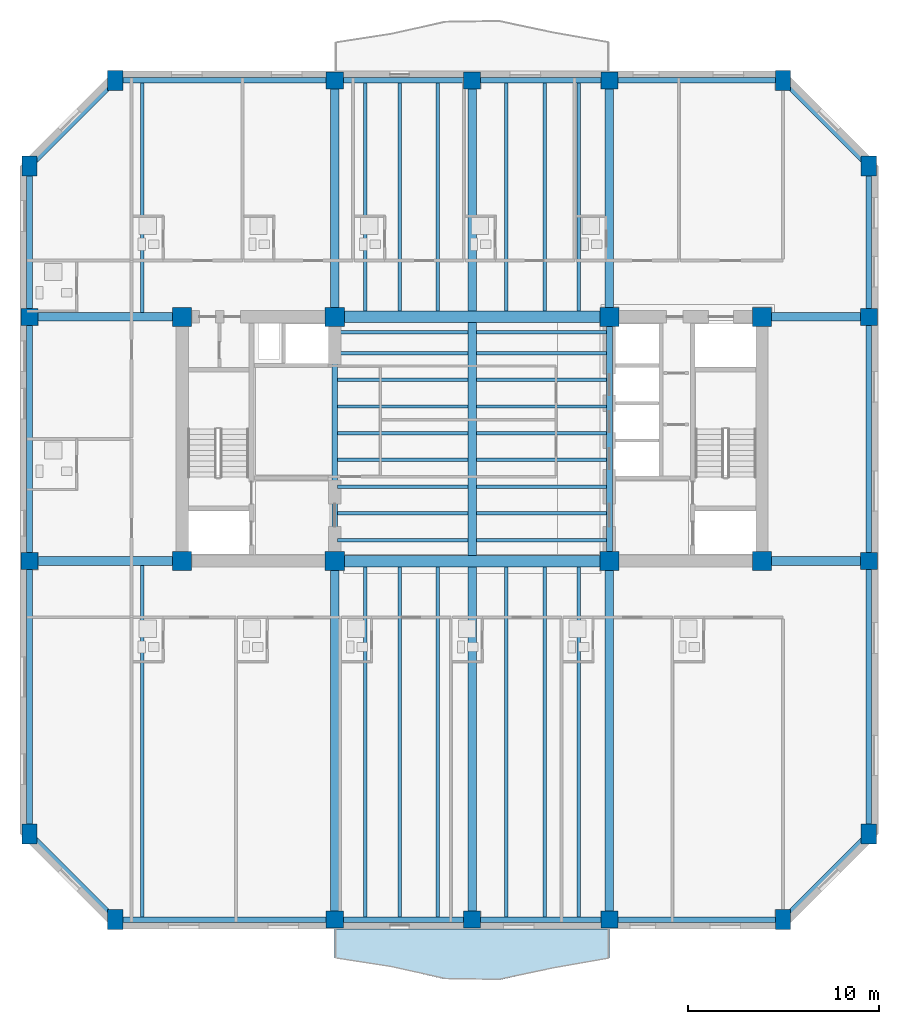
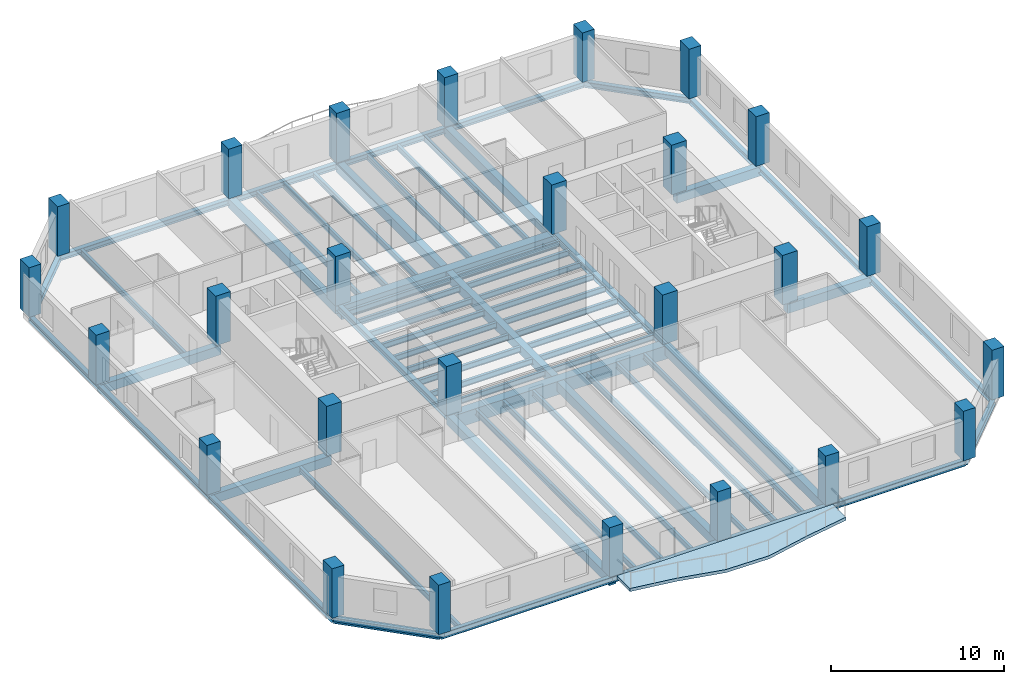
# One storey, part 1 of 11: 65 beams, 26 columns, 1 slab.
"""IFC4 building model written with IfcOpenShell, lengths in metres."""

from ifc_helpers import new_model, si_unit, direction, frame, origin, origin_2d, place, context, subcontext, project, spatial, polyline, rectangle, i_section, outline, extrude, material, layer, layer_set, material_profile, profile_set, type_object, element, save


model = new_model("IFC4")

# Units and contexts
model_context = context("Model", 3, precision=1e-05, world=origin(), true_north=direction((0.0, 1.0)))
body_context = subcontext(model_context, "Body", "Model", "MODEL_VIEW")
ifc_project = project(units=[si_unit("LENGTHUNIT", "METRE"), si_unit("AREAUNIT", "SQUARE_METRE"), si_unit("VOLUMEUNIT", "CUBIC_METRE"), si_unit("PLANEANGLEUNIT", "RADIAN"), si_unit("MASSUNIT", "GRAM", prefix="KILO")], contexts=[model_context])

# Site, building, storey
site_placement = place(None, origin())
site = spatial("IfcSite", under=ifc_project, at=site_placement, CompositionType="ELEMENT")
building_placement = place(site_placement, origin())
building = spatial("IfcBuilding", under=site, at=building_placement, Name="Kranthara Brick Stack", CompositionType="ELEMENT")
storey_placement = place(building_placement, frame((0.0, 0.0, 130.800048828125)))
storey = spatial("IfcBuildingStorey", under=building, at=storey_placement, Name="L32", CompositionType="ELEMENT", Elevation=130.800048828125)

# Columns
ifc_material_1 = material(Name="Concrete C60/75", Category="concrete")
ifc_material_profile_1 = material_profile(ifc_material_1, rectangle(XDim=0.800048828125, YDim=1.050048828125, at=origin_2d()), Name="RC 800x1050")
ifc_profile_set_1 = profile_set([ifc_material_profile_1], Name="Concrete C60/75")
column_type_1 = type_object("IfcColumnType", Name="COL-CHAM-800x1050", PredefinedType="COLUMN", material=ifc_profile_set_1)
for number, where, z_axis, x_axis, name in (
    (1, (9.300048828125, 2.0, 0.0), (0.0, 0.0, 1.0), (1.0, 0.0, 0.0), "L32 Column 09"),
    (2, (9.300048828125, 46.0, 0.0), (0.0, 0.0, 1.0), (1.0, 0.0, 0.0), "L32 Column 10"),
    (3, (44.300048828125, 2.0, 0.0), (0.0, 0.0, 1.0), (1.0, 0.0, 0.0), "L32 Column 17"),
    (4, (44.300048828125, 46.0, 0.0), (0.0, 0.0, 1.0), (1.0, 0.0, 0.0), "L32 Column 18"),
    (5, (4.800048828125, 6.5, 0.0), (0.0, 0.0, 1.0), (1.0, 0.0, 0.0), "L32 Column 19"),
    (6, (48.800048828125, 6.5, 0.0), (0.0, 0.0, 1.0), (1.0, 0.0, 0.0), "L32 Column 20"),
    (7, (4.800048828125, 41.5, 0.0), (0.0, 0.0, 1.0), (1.0, 0.0, 0.0), "L32 Column 25"),
    (8, (48.800048828125, 41.5, 0.0), (0.0, 0.0, 1.0), (1.0, 0.0, 0.0), "L32 Column 26"),
):
    element("IfcColumn", number, at=place(storey_placement, frame(where, z_axis=z_axis, x_axis=x_axis)), inside=storey, type_object=column_type_1, Name=name, PredefinedType="COLUMN", context=body_context, shape_type="SweptSolid", body=[
        extrude(rectangle(XDim=0.800048828125, YDim=1.050048828125, at=origin_2d()), origin(), (0.0, 0.0, 1.0), 3.5),
    ])
ifc_material_2 = material(Name="Concrete C60/75", Category="concrete")
ifc_material_profile_2 = material_profile(ifc_material_2, rectangle(XDim=1.0, YDim=1.0, at=origin_2d()), Name="RC 1000x1000")
ifc_profile_set_2 = profile_set([ifc_material_profile_2], Name="Concrete C60/75")
column_type_2 = type_object("IfcColumnType", Name="COL-CORE-1000", PredefinedType="COLUMN", material=ifc_profile_set_2)
for number, where, z_axis, x_axis, name in (
    (9, (12.800048828125, 20.800048828125, 0.0), (0.0, 0.0, 1.0), (1.0, 0.0, 0.0), "L32 Column 01"),
    (10, (20.800048828125, 20.800048828125, 0.0), (0.0, 0.0, 1.0), (1.0, 0.0, 0.0), "L32 Column 02"),
    (11, (12.800048828125, 33.60009765625, 0.0), (0.0, 0.0, 1.0), (1.0, 0.0, 0.0), "L32 Column 03"),
    (12, (20.800048828125, 33.60009765625, 0.0), (0.0, 0.0, 1.0), (1.0, 0.0, 0.0), "L32 Column 04"),
    (13, (35.199951171875, 20.800048828125, 0.0), (0.0, 0.0, 1.0), (1.0, 0.0, 0.0), "L32 Column 05"),
    (14, (43.199951171875, 20.800048828125, 0.0), (0.0, 0.0, 1.0), (1.0, 0.0, 0.0), "L32 Column 06"),
    (15, (35.199951171875, 33.60009765625, 0.0), (0.0, 0.0, 1.0), (1.0, 0.0, 0.0), "L32 Column 07"),
    (16, (43.199951171875, 33.60009765625, 0.0), (0.0, 0.0, 1.0), (1.0, 0.0, 0.0), "L32 Column 08"),
):
    element("IfcColumn", number, at=place(storey_placement, frame(where, z_axis=z_axis, x_axis=x_axis)), inside=storey, type_object=column_type_2, Name=name, PredefinedType="COLUMN", context=body_context, shape_type="SweptSolid", body=[
        extrude(rectangle(XDim=1.0, YDim=1.0, at=origin_2d()), origin(), (0.0, 0.0, 1.0), 3.5),
    ])
ifc_material_3 = material(Name="Concrete C60/75", Category="concrete")
ifc_material_profile_3 = material_profile(ifc_material_3, rectangle(XDim=0.89990234375, YDim=0.89990234375, at=origin_2d()), Name="RC 900x900")
ifc_profile_set_3 = profile_set([ifc_material_profile_3], Name="Concrete C60/75")
column_type_3 = type_object("IfcColumnType", Name="COL-PER-900", PredefinedType="COLUMN", material=ifc_profile_set_3)
for number, where, z_axis, x_axis, name in (
    (17, (20.800048828125, 2.0, 0.0), (0.0, 0.0, 1.0), (1.0, 0.0, 0.0), "L32 Column 11"),
    (18, (20.800048828125, 46.0, 0.0), (0.0, 0.0, 1.0), (1.0, 0.0, 0.0), "L32 Column 12"),
    (19, (28.0, 2.0, 0.0), (0.0, 0.0, 1.0), (1.0, 0.0, 0.0), "L32 Column 13"),
    (20, (28.0, 46.0, 0.0), (0.0, 0.0, 1.0), (1.0, 0.0, 0.0), "L32 Column 14"),
    (21, (35.199951171875, 2.0, 0.0), (0.0, 0.0, 1.0), (1.0, 0.0, 0.0), "L32 Column 15"),
    (22, (35.199951171875, 46.0, 0.0), (0.0, 0.0, 1.0), (1.0, 0.0, 0.0), "L32 Column 16"),
    (23, (4.800048828125, 20.800048828125, 0.0), (0.0, 0.0, 1.0), (1.0, 0.0, 0.0), "L32 Column 21"),
    (24, (48.800048828125, 20.800048828125, 0.0), (0.0, 0.0, 1.0), (1.0, 0.0, 0.0), "L32 Column 22"),
    (25, (4.800048828125, 33.60009765625, 0.0), (0.0, 0.0, 1.0), (1.0, 0.0, 0.0), "L32 Column 23"),
    (26, (48.800048828125, 33.60009765625, 0.0), (0.0, 0.0, 1.0), (1.0, 0.0, 0.0), "L32 Column 24"),
):
    element("IfcColumn", number, at=place(storey_placement, frame(where, z_axis=z_axis, x_axis=x_axis)), inside=storey, type_object=column_type_3, Name=name, PredefinedType="COLUMN", context=body_context, shape_type="SweptSolid", body=[
        extrude(rectangle(XDim=0.89990234375, YDim=0.89990234375, at=origin_2d()), origin(), (0.0, 0.0, 1.0), 3.5),
    ])

# Beams
ifc_material_4 = material(Name="Concrete C60/75", Category="concrete")
ifc_material_profile_4 = material_profile(ifc_material_4, rectangle(XDim=0.60009765625, YDim=0.949951171875, at=origin_2d()), Name="RC 600x950")
ifc_profile_set_4 = profile_set([ifc_material_profile_4], Name="Concrete C60/75")
beam_type_1 = type_object("IfcBeamType", Name="BM-CPL-RC950", PredefinedType="LINTEL", material=ifc_profile_set_4)
for number, where, z_axis, x_axis, name in (
    (27, (20.800048828125, 20.800048828125, -0.775146484375), (1.0, 0.0, 0.0), (0.0, 1.0, 0.0), "L32 Core Coupling Beam 001"),
    (28, (20.800048828125, 33.60009765625, -0.775146484375), (1.0, 0.0, 0.0), (0.0, 1.0, 0.0), "L32 Core Coupling Beam 002"),
):
    element("IfcBeam", number, at=place(storey_placement, frame(where, z_axis=z_axis, x_axis=x_axis)), inside=storey, type_object=beam_type_1, Name=name, PredefinedType="LINTEL", context=body_context, shape_type="SweptSolid", body=[
        extrude(rectangle(XDim=0.60009765625, YDim=0.949951171875, at=origin_2d()), origin(), (0.0, 0.0, 1.0), 14.39990234375),
    ])
ifc_material_5 = material(Name="Post-tensioned concrete C45/55", Category="concrete")
ifc_material_profile_5 = material_profile(ifc_material_5, rectangle(XDim=0.449951171875, YDim=0.64990234375, at=origin_2d()), Name="PT 450x650")
ifc_profile_set_5 = profile_set([ifc_material_profile_5], Name="Post-tensioned concrete C45/55")
beam_type_2 = type_object("IfcBeamType", Name="BM-FLR-PT650", PredefinedType="BEAM", material=ifc_profile_set_5)
beam_1_placement = place(storey_placement, frame((20.800048828125, 2.0, -0.625), z_axis=(0.0, 1.0, 0.0), x_axis=(-1.0, 0.0, 0.0)))
element("IfcBeam", 29, at=beam_1_placement, inside=storey, type_object=beam_type_2, Name="L32 Primary Grid Girder 023", PredefinedType="BEAM", context=body_context, shape_type="SweptSolid", body=[
    extrude(rectangle(XDim=0.449951171875, YDim=0.64990234375, at=origin_2d()), origin(), (0.0, 0.0, 1.0), 18.800048828125),
])
beam_2_placement = place(storey_placement, frame((20.800048828125, 33.60009765625, -0.625), z_axis=(0.0, 1.0, 0.0), x_axis=(-1.0, 0.0, 0.0)))
element("IfcBeam", 30, at=beam_2_placement, inside=storey, type_object=beam_type_2, Name="L32 Primary Grid Girder 024", PredefinedType="BEAM", context=body_context, shape_type="SweptSolid", body=[
    extrude(rectangle(XDim=0.449951171875, YDim=0.64990234375, at=origin_2d()), origin(), (0.0, 0.0, 1.0), 12.39990234375),
])
beam_3_placement = place(storey_placement, frame((28.0, 2.0, -0.625), z_axis=(0.0, 1.0, 0.0), x_axis=(-1.0, 0.0, 0.0)))
element("IfcBeam", 31, at=beam_3_placement, inside=storey, type_object=beam_type_2, Name="L32 Primary Grid Girder 025", PredefinedType="BEAM", context=body_context, shape_type="SweptSolid", body=[
    extrude(rectangle(XDim=0.449951171875, YDim=0.64990234375, at=origin_2d()), origin(), (0.0, 0.0, 1.0), 18.5),
])
beam_4_placement = place(storey_placement, frame((28.0, 21.10009765625, -0.625), z_axis=(0.0, 1.0, 0.0), x_axis=(-1.0, 0.0, 0.0)))
element("IfcBeam", 32, at=beam_4_placement, inside=storey, type_object=beam_type_2, Name="L32 Central Spine Girder 026", PredefinedType="BEAM", context=body_context, shape_type="SweptSolid", body=[
    extrude(rectangle(XDim=0.449951171875, YDim=0.64990234375, at=origin_2d()), origin(), (0.0, 0.0, 1.0), 12.199951171875),
])
beam_5_placement = place(storey_placement, frame((28.0, 33.89990234375, -0.625), z_axis=(0.0, 1.0, 0.0), x_axis=(-1.0, 0.0, 0.0)))
element("IfcBeam", 33, at=beam_5_placement, inside=storey, type_object=beam_type_2, Name="L32 Primary Grid Girder 027", PredefinedType="BEAM", context=body_context, shape_type="SweptSolid", body=[
    extrude(rectangle(XDim=0.449951171875, YDim=0.64990234375, at=origin_2d()), origin(), (0.0, 0.0, 1.0), 12.10009765625),
])
beam_6_placement = place(storey_placement, frame((35.199951171875, 2.0, -0.625), z_axis=(0.0, 1.0, 0.0), x_axis=(-1.0, 0.0, 0.0)))
element("IfcBeam", 34, at=beam_6_placement, inside=storey, type_object=beam_type_2, Name="L32 Primary Grid Girder 028", PredefinedType="BEAM", context=body_context, shape_type="SweptSolid", body=[
    extrude(rectangle(XDim=0.449951171875, YDim=0.64990234375, at=origin_2d()), origin(), (0.0, 0.0, 1.0), 18.800048828125),
])
beam_7_placement = place(storey_placement, frame((35.199951171875, 33.60009765625, -0.625), z_axis=(0.0, 1.0, 0.0), x_axis=(-1.0, 0.0, 0.0)))
element("IfcBeam", 35, at=beam_7_placement, inside=storey, type_object=beam_type_2, Name="L32 Primary Grid Girder 029", PredefinedType="BEAM", context=body_context, shape_type="SweptSolid", body=[
    extrude(rectangle(XDim=0.449951171875, YDim=0.64990234375, at=origin_2d()), origin(), (0.0, 0.0, 1.0), 12.39990234375),
])
beam_8_placement = place(storey_placement, frame((4.800048828125, 20.800048828125, -0.625), z_axis=(1.0, 0.0, 0.0), x_axis=(0.0, 1.0, 0.0)))
element("IfcBeam", 36, at=beam_8_placement, inside=storey, type_object=beam_type_2, Name="L32 Primary Grid Girder 030", PredefinedType="BEAM", context=body_context, shape_type="SweptSolid", body=[
    extrude(rectangle(XDim=0.449951171875, YDim=0.64990234375, at=origin_2d()), origin(), (0.0, 0.0, 1.0), 8.0),
])
beam_9_placement = place(storey_placement, frame((43.199951171875, 20.800048828125, -0.625), z_axis=(1.0, 0.0, 0.0), x_axis=(0.0, 1.0, 0.0)))
element("IfcBeam", 37, at=beam_9_placement, inside=storey, type_object=beam_type_2, Name="L32 Primary Grid Girder 031", PredefinedType="BEAM", context=body_context, shape_type="SweptSolid", body=[
    extrude(rectangle(XDim=0.449951171875, YDim=0.64990234375, at=origin_2d()), origin(), (0.0, 0.0, 1.0), 5.60009765625),
])
beam_10_placement = place(storey_placement, frame((4.800048828125, 33.60009765625, -0.625), z_axis=(1.0, 0.0, 0.0), x_axis=(0.0, 1.0, 0.0)))
element("IfcBeam", 38, at=beam_10_placement, inside=storey, type_object=beam_type_2, Name="L32 Primary Grid Girder 032", PredefinedType="BEAM", context=body_context, shape_type="SweptSolid", body=[
    extrude(rectangle(XDim=0.449951171875, YDim=0.64990234375, at=origin_2d()), origin(), (0.0, 0.0, 1.0), 8.0),
])
beam_11_placement = place(storey_placement, frame((43.199951171875, 33.60009765625, -0.625), z_axis=(1.0, 0.0, 0.0), x_axis=(0.0, 1.0, 0.0)))
element("IfcBeam", 39, at=beam_11_placement, inside=storey, type_object=beam_type_2, Name="L32 Primary Grid Girder 033", PredefinedType="BEAM", context=body_context, shape_type="SweptSolid", body=[
    extrude(rectangle(XDim=0.449951171875, YDim=0.64990234375, at=origin_2d()), origin(), (0.0, 0.0, 1.0), 5.60009765625),
])
ifc_material_6 = material(Name="Steel S355", Category="steel")
ifc_material_profile_6 = material_profile(ifc_material_6, i_section(OverallWidth=0.179931640625, OverallDepth=0.39990234375, WebThickness=0.008544921875, FlangeThickness=0.013427734375, at=origin_2d()), Name="IPE 400")
ifc_profile_set_6 = profile_set([ifc_material_profile_6], Name="Steel S355")
beam_type_3 = type_object("IfcBeamType", Name="BM-JST-IPE400", PredefinedType="JOIST", material=ifc_profile_set_6)
for number, where, z_axis, x_axis, name in (
    (40, (20.949951171875, 21.89990234375, -0.5), (1.0, 0.0, 0.0), (0.0, 1.0, 0.0), "L32 Central Floor Joist 034"),
    (41, (28.22509765625, 21.89990234375, -0.5), (1.0, 0.0, 0.0), (0.0, 1.0, 0.0), "L32 Central Floor Joist 035"),
    (42, (20.949951171875, 23.300048828125, -0.5), (1.0, 0.0, 0.0), (0.0, 1.0, 0.0), "L32 Central Floor Joist 036"),
    (43, (28.22509765625, 23.300048828125, -0.5), (1.0, 0.0, 0.0), (0.0, 1.0, 0.0), "L32 Central Floor Joist 037"),
    (44, (20.949951171875, 24.699951171875, -0.5), (1.0, 0.0, 0.0), (0.0, 1.0, 0.0), "L32 Central Floor Joist 038"),
    (45, (28.22509765625, 24.699951171875, -0.5), (1.0, 0.0, 0.0), (0.0, 1.0, 0.0), "L32 Central Floor Joist 039"),
    (46, (20.949951171875, 26.10009765625, -0.5), (1.0, 0.0, 0.0), (0.0, 1.0, 0.0), "L32 Central Floor Joist 040"),
    (47, (28.22509765625, 26.10009765625, -0.5), (1.0, 0.0, 0.0), (0.0, 1.0, 0.0), "L32 Central Floor Joist 041"),
    (48, (20.949951171875, 27.5, -0.5), (1.0, 0.0, 0.0), (0.0, 1.0, 0.0), "L32 Central Floor Joist 042"),
    (49, (28.22509765625, 27.5, -0.5), (1.0, 0.0, 0.0), (0.0, 1.0, 0.0), "L32 Central Floor Joist 043"),
    (50, (20.949951171875, 28.89990234375, -0.5), (1.0, 0.0, 0.0), (0.0, 1.0, 0.0), "L32 Central Floor Joist 044"),
    (51, (28.22509765625, 28.89990234375, -0.5), (1.0, 0.0, 0.0), (0.0, 1.0, 0.0), "L32 Central Floor Joist 045"),
    (52, (20.949951171875, 30.300048828125, -0.5), (1.0, 0.0, 0.0), (0.0, 1.0, 0.0), "L32 Central Floor Joist 046"),
    (53, (28.22509765625, 30.300048828125, -0.5), (1.0, 0.0, 0.0), (0.0, 1.0, 0.0), "L32 Central Floor Joist 047"),
    (54, (20.949951171875, 31.699951171875, -0.5), (1.0, 0.0, 0.0), (0.0, 1.0, 0.0), "L32 Central Floor Joist 048"),
    (55, (28.22509765625, 31.699951171875, -0.5), (1.0, 0.0, 0.0), (0.0, 1.0, 0.0), "L32 Central Floor Joist 049"),
    (56, (20.949951171875, 32.800048828125, -0.5), (1.0, 0.0, 0.0), (0.0, 1.0, 0.0), "L32 Central Floor Joist 050"),
    (57, (28.22509765625, 32.800048828125, -0.5), (1.0, 0.0, 0.0), (0.0, 1.0, 0.0), "L32 Central Floor Joist 051"),
):
    element("IfcBeam", number, at=place(storey_placement, frame(where, z_axis=z_axis, x_axis=x_axis)), inside=storey, type_object=beam_type_3, Name=name, PredefinedType="JOIST", context=body_context, shape_type="SweptSolid", body=[
        extrude(i_section(OverallWidth=0.179931640625, OverallDepth=0.39990234375, WebThickness=0.008544921875, FlangeThickness=0.013427734375, at=origin_2d()), origin(), (0.0, 0.0, 1.0), 6.824951171875),
    ])
beam_12_placement = place(storey_placement, frame((10.699951171875, 2.14990234375, -0.5), z_axis=(0.0, 1.0, 0.0), x_axis=(-1.0, 0.0, 0.0)))
element("IfcBeam", 58, at=beam_12_placement, inside=storey, type_object=beam_type_3, Name="L32 South Wing Floor Joist 052", PredefinedType="JOIST", context=body_context, shape_type="SweptSolid", body=[
    extrude(i_section(OverallWidth=0.179931640625, OverallDepth=0.39990234375, WebThickness=0.008544921875, FlangeThickness=0.013427734375, at=origin_2d()), origin(), (0.0, 0.0, 1.0), 18.425048828125),
])
beam_13_placement = place(storey_placement, frame((10.699951171875, 33.824951171875, -0.5), z_axis=(0.0, 1.0, 0.0), x_axis=(-1.0, 0.0, 0.0)))
element("IfcBeam", 59, at=beam_13_placement, inside=storey, type_object=beam_type_3, Name="L32 North Wing Floor Joist 053", PredefinedType="JOIST", context=body_context, shape_type="SweptSolid", body=[
    extrude(i_section(OverallWidth=0.179931640625, OverallDepth=0.39990234375, WebThickness=0.008544921875, FlangeThickness=0.013427734375, at=origin_2d()), origin(), (0.0, 0.0, 1.0), 12.025146484375),
])
beam_14_placement = place(storey_placement, frame((22.39990234375, 2.14990234375, -0.5), z_axis=(0.0, 1.0, 0.0), x_axis=(-1.0, 0.0, 0.0)))
element("IfcBeam", 60, at=beam_14_placement, inside=storey, type_object=beam_type_3, Name="L32 South Wing Floor Joist 054", PredefinedType="JOIST", context=body_context, shape_type="SweptSolid", body=[
    extrude(i_section(OverallWidth=0.179931640625, OverallDepth=0.39990234375, WebThickness=0.008544921875, FlangeThickness=0.013427734375, at=origin_2d()), origin(), (0.0, 0.0, 1.0), 18.35009765625),
])
beam_15_placement = place(storey_placement, frame((22.39990234375, 33.89990234375, -0.5), z_axis=(0.0, 1.0, 0.0), x_axis=(-1.0, 0.0, 0.0)))
element("IfcBeam", 61, at=beam_15_placement, inside=storey, type_object=beam_type_3, Name="L32 North Wing Floor Joist 055", PredefinedType="JOIST", context=body_context, shape_type="SweptSolid", body=[
    extrude(i_section(OverallWidth=0.179931640625, OverallDepth=0.39990234375, WebThickness=0.008544921875, FlangeThickness=0.013427734375, at=origin_2d()), origin(), (0.0, 0.0, 1.0), 11.9501953125),
])
beam_16_placement = place(storey_placement, frame((24.199951171875, 2.14990234375, -0.5), z_axis=(0.0, 1.0, 0.0), x_axis=(-1.0, 0.0, 0.0)))
element("IfcBeam", 62, at=beam_16_placement, inside=storey, type_object=beam_type_3, Name="L32 South Wing Floor Joist 056", PredefinedType="JOIST", context=body_context, shape_type="SweptSolid", body=[
    extrude(i_section(OverallWidth=0.179931640625, OverallDepth=0.39990234375, WebThickness=0.008544921875, FlangeThickness=0.013427734375, at=origin_2d()), origin(), (0.0, 0.0, 1.0), 18.35009765625),
])
beam_17_placement = place(storey_placement, frame((24.199951171875, 33.89990234375, -0.5), z_axis=(0.0, 1.0, 0.0), x_axis=(-1.0, 0.0, 0.0)))
element("IfcBeam", 63, at=beam_17_placement, inside=storey, type_object=beam_type_3, Name="L32 North Wing Floor Joist 057", PredefinedType="JOIST", context=body_context, shape_type="SweptSolid", body=[
    extrude(i_section(OverallWidth=0.179931640625, OverallDepth=0.39990234375, WebThickness=0.008544921875, FlangeThickness=0.013427734375, at=origin_2d()), origin(), (0.0, 0.0, 1.0), 11.9501953125),
])
beam_18_placement = place(storey_placement, frame((26.199951171875, 2.14990234375, -0.5), z_axis=(0.0, 1.0, 0.0), x_axis=(-1.0, 0.0, 0.0)))
element("IfcBeam", 64, at=beam_18_placement, inside=storey, type_object=beam_type_3, Name="L32 South Wing Floor Joist 058", PredefinedType="JOIST", context=body_context, shape_type="SweptSolid", body=[
    extrude(i_section(OverallWidth=0.179931640625, OverallDepth=0.39990234375, WebThickness=0.008544921875, FlangeThickness=0.013427734375, at=origin_2d()), origin(), (0.0, 0.0, 1.0), 18.35009765625),
])
beam_19_placement = place(storey_placement, frame((26.199951171875, 33.89990234375, -0.5), z_axis=(0.0, 1.0, 0.0), x_axis=(-1.0, 0.0, 0.0)))
element("IfcBeam", 65, at=beam_19_placement, inside=storey, type_object=beam_type_3, Name="L32 North Wing Floor Joist 059", PredefinedType="JOIST", context=body_context, shape_type="SweptSolid", body=[
    extrude(i_section(OverallWidth=0.179931640625, OverallDepth=0.39990234375, WebThickness=0.008544921875, FlangeThickness=0.013427734375, at=origin_2d()), origin(), (0.0, 0.0, 1.0), 11.9501953125),
])
beam_20_placement = place(storey_placement, frame((29.800048828125, 2.14990234375, -0.5), z_axis=(0.0, 1.0, 0.0), x_axis=(-1.0, 0.0, 0.0)))
element("IfcBeam", 66, at=beam_20_placement, inside=storey, type_object=beam_type_3, Name="L32 South Wing Floor Joist 060", PredefinedType="JOIST", context=body_context, shape_type="SweptSolid", body=[
    extrude(i_section(OverallWidth=0.179931640625, OverallDepth=0.39990234375, WebThickness=0.008544921875, FlangeThickness=0.013427734375, at=origin_2d()), origin(), (0.0, 0.0, 1.0), 18.35009765625),
])
beam_21_placement = place(storey_placement, frame((29.800048828125, 33.89990234375, -0.5), z_axis=(0.0, 1.0, 0.0), x_axis=(-1.0, 0.0, 0.0)))
element("IfcBeam", 67, at=beam_21_placement, inside=storey, type_object=beam_type_3, Name="L32 North Wing Floor Joist 061", PredefinedType="JOIST", context=body_context, shape_type="SweptSolid", body=[
    extrude(i_section(OverallWidth=0.179931640625, OverallDepth=0.39990234375, WebThickness=0.008544921875, FlangeThickness=0.013427734375, at=origin_2d()), origin(), (0.0, 0.0, 1.0), 11.9501953125),
])
beam_22_placement = place(storey_placement, frame((31.800048828125, 2.14990234375, -0.5), z_axis=(0.0, 1.0, 0.0), x_axis=(-1.0, 0.0, 0.0)))
element("IfcBeam", 68, at=beam_22_placement, inside=storey, type_object=beam_type_3, Name="L32 South Wing Floor Joist 062", PredefinedType="JOIST", context=body_context, shape_type="SweptSolid", body=[
    extrude(i_section(OverallWidth=0.179931640625, OverallDepth=0.39990234375, WebThickness=0.008544921875, FlangeThickness=0.013427734375, at=origin_2d()), origin(), (0.0, 0.0, 1.0), 18.35009765625),
])
beam_23_placement = place(storey_placement, frame((31.800048828125, 33.89990234375, -0.5), z_axis=(0.0, 1.0, 0.0), x_axis=(-1.0, 0.0, 0.0)))
element("IfcBeam", 69, at=beam_23_placement, inside=storey, type_object=beam_type_3, Name="L32 North Wing Floor Joist 063", PredefinedType="JOIST", context=body_context, shape_type="SweptSolid", body=[
    extrude(i_section(OverallWidth=0.179931640625, OverallDepth=0.39990234375, WebThickness=0.008544921875, FlangeThickness=0.013427734375, at=origin_2d()), origin(), (0.0, 0.0, 1.0), 11.9501953125),
])
beam_24_placement = place(storey_placement, frame((33.60009765625, 2.14990234375, -0.5), z_axis=(0.0, 1.0, 0.0), x_axis=(-1.0, 0.0, 0.0)))
element("IfcBeam", 70, at=beam_24_placement, inside=storey, type_object=beam_type_3, Name="L32 South Wing Floor Joist 064", PredefinedType="JOIST", context=body_context, shape_type="SweptSolid", body=[
    extrude(i_section(OverallWidth=0.179931640625, OverallDepth=0.39990234375, WebThickness=0.008544921875, FlangeThickness=0.013427734375, at=origin_2d()), origin(), (0.0, 0.0, 1.0), 18.35009765625),
])
beam_25_placement = place(storey_placement, frame((33.60009765625, 33.89990234375, -0.5), z_axis=(0.0, 1.0, 0.0), x_axis=(-1.0, 0.0, 0.0)))
element("IfcBeam", 71, at=beam_25_placement, inside=storey, type_object=beam_type_3, Name="L32 North Wing Floor Joist 065", PredefinedType="JOIST", context=body_context, shape_type="SweptSolid", body=[
    extrude(i_section(OverallWidth=0.179931640625, OverallDepth=0.39990234375, WebThickness=0.008544921875, FlangeThickness=0.013427734375, at=origin_2d()), origin(), (0.0, 0.0, 1.0), 11.9501953125),
])
ifc_material_7 = material(Name="Steel S355", Category="steel")
ifc_material_profile_7 = material_profile(ifc_material_7, i_section(OverallWidth=0.300048828125, OverallDepth=0.39990234375, WebThickness=0.013427734375, FlangeThickness=0.02392578125, at=origin_2d()), Name="HEB 400")
ifc_profile_set_7 = profile_set([ifc_material_profile_7], Name="Steel S355")
beam_type_4 = type_object("IfcBeamType", Name="BM-STL-HEB400", PredefinedType="SPANDREL", material=ifc_profile_set_7)
beam_26_placement = place(storey_placement, frame((9.300048828125, 2.0, -0.5), z_axis=(1.0, 0.0, 0.0), x_axis=(0.0, 1.0, 0.0)))
element("IfcBeam", 72, at=beam_26_placement, inside=storey, type_object=beam_type_4, Name="L32 Perimeter Spandrel Beam 005", PredefinedType="SPANDREL", context=body_context, shape_type="SweptSolid", body=[
    extrude(i_section(OverallWidth=0.300048828125, OverallDepth=0.39990234375, WebThickness=0.013427734375, FlangeThickness=0.02392578125, at=origin_2d()), origin(), (0.0, 0.0, 1.0), 11.5),
])
for number, where, z_axis, x_axis, name in (
    (73, (20.800048828125, 2.0, -0.5), (1.0, 0.0, 0.0), (0.0, 1.0, 0.0), "L32 Perimeter Spandrel Beam 006"),
    (74, (28.0, 2.0, -0.5), (1.0, 0.0, 0.0), (0.0, 1.0, 0.0), "L32 Perimeter Spandrel Beam 007"),
):
    element("IfcBeam", number, at=place(storey_placement, frame(where, z_axis=z_axis, x_axis=x_axis)), inside=storey, type_object=beam_type_4, Name=name, PredefinedType="SPANDREL", context=body_context, shape_type="SweptSolid", body=[
        extrude(i_section(OverallWidth=0.300048828125, OverallDepth=0.39990234375, WebThickness=0.013427734375, FlangeThickness=0.02392578125, at=origin_2d()), origin(), (0.0, 0.0, 1.0), 7.199951171875),
    ])
beam_27_placement = place(storey_placement, frame((35.199951171875, 2.0, -0.5), z_axis=(1.0, 0.0, 0.0), x_axis=(0.0, 1.0, 0.0)))
element("IfcBeam", 75, at=beam_27_placement, inside=storey, type_object=beam_type_4, Name="L32 Perimeter Spandrel Beam 008", PredefinedType="SPANDREL", context=body_context, shape_type="SweptSolid", body=[
    extrude(i_section(OverallWidth=0.300048828125, OverallDepth=0.39990234375, WebThickness=0.013427734375, FlangeThickness=0.02392578125, at=origin_2d()), origin(), (0.0, 0.0, 1.0), 9.10009765625),
])
beam_28_placement = place(storey_placement, frame((9.300048828125, 46.0, -0.5), z_axis=(1.0, 0.0, 0.0), x_axis=(0.0, 1.0, 0.0)))
element("IfcBeam", 76, at=beam_28_placement, inside=storey, type_object=beam_type_4, Name="L32 Perimeter Spandrel Beam 009", PredefinedType="SPANDREL", context=body_context, shape_type="SweptSolid", body=[
    extrude(i_section(OverallWidth=0.300048828125, OverallDepth=0.39990234375, WebThickness=0.013427734375, FlangeThickness=0.02392578125, at=origin_2d()), origin(), (0.0, 0.0, 1.0), 11.5),
])
for number, where, z_axis, x_axis, name in (
    (77, (20.800048828125, 46.0, -0.5), (1.0, 0.0, 0.0), (0.0, 1.0, 0.0), "L32 Perimeter Spandrel Beam 010"),
    (78, (28.0, 46.0, -0.5), (1.0, 0.0, 0.0), (0.0, 1.0, 0.0), "L32 Perimeter Spandrel Beam 011"),
):
    element("IfcBeam", number, at=place(storey_placement, frame(where, z_axis=z_axis, x_axis=x_axis)), inside=storey, type_object=beam_type_4, Name=name, PredefinedType="SPANDREL", context=body_context, shape_type="SweptSolid", body=[
        extrude(i_section(OverallWidth=0.300048828125, OverallDepth=0.39990234375, WebThickness=0.013427734375, FlangeThickness=0.02392578125, at=origin_2d()), origin(), (0.0, 0.0, 1.0), 7.199951171875),
    ])
beam_29_placement = place(storey_placement, frame((35.199951171875, 46.0, -0.5), z_axis=(1.0, 0.0, 0.0), x_axis=(0.0, 1.0, 0.0)))
element("IfcBeam", 79, at=beam_29_placement, inside=storey, type_object=beam_type_4, Name="L32 Perimeter Spandrel Beam 012", PredefinedType="SPANDREL", context=body_context, shape_type="SweptSolid", body=[
    extrude(i_section(OverallWidth=0.300048828125, OverallDepth=0.39990234375, WebThickness=0.013427734375, FlangeThickness=0.02392578125, at=origin_2d()), origin(), (0.0, 0.0, 1.0), 9.10009765625),
])
beam_30_placement = place(storey_placement, frame((4.800048828125, 6.5, -0.5), z_axis=(0.0, 1.0, 0.0), x_axis=(-1.0, 0.0, 0.0)))
element("IfcBeam", 80, at=beam_30_placement, inside=storey, type_object=beam_type_4, Name="L32 Perimeter Spandrel Beam 013", PredefinedType="SPANDREL", context=body_context, shape_type="SweptSolid", body=[
    extrude(i_section(OverallWidth=0.300048828125, OverallDepth=0.39990234375, WebThickness=0.013427734375, FlangeThickness=0.02392578125, at=origin_2d()), origin(), (0.0, 0.0, 1.0), 14.300048828125),
])
beam_31_placement = place(storey_placement, frame((4.800048828125, 20.800048828125, -0.5), z_axis=(0.0, 1.0, 0.0), x_axis=(-1.0, 0.0, 0.0)))
element("IfcBeam", 81, at=beam_31_placement, inside=storey, type_object=beam_type_4, Name="L32 Perimeter Spandrel Beam 014", PredefinedType="SPANDREL", context=body_context, shape_type="SweptSolid", body=[
    extrude(i_section(OverallWidth=0.300048828125, OverallDepth=0.39990234375, WebThickness=0.013427734375, FlangeThickness=0.02392578125, at=origin_2d()), origin(), (0.0, 0.0, 1.0), 12.800048828125),
])
beam_32_placement = place(storey_placement, frame((4.800048828125, 33.60009765625, -0.5), z_axis=(0.0, 1.0, 0.0), x_axis=(-1.0, 0.0, 0.0)))
element("IfcBeam", 82, at=beam_32_placement, inside=storey, type_object=beam_type_4, Name="L32 Perimeter Spandrel Beam 015", PredefinedType="SPANDREL", context=body_context, shape_type="SweptSolid", body=[
    extrude(i_section(OverallWidth=0.300048828125, OverallDepth=0.39990234375, WebThickness=0.013427734375, FlangeThickness=0.02392578125, at=origin_2d()), origin(), (0.0, 0.0, 1.0), 7.89990234375),
])
beam_33_placement = place(storey_placement, frame((48.800048828125, 6.5, -0.5), z_axis=(0.0, 1.0, 0.0), x_axis=(-1.0, 0.0, 0.0)))
element("IfcBeam", 83, at=beam_33_placement, inside=storey, type_object=beam_type_4, Name="L32 Perimeter Spandrel Beam 016", PredefinedType="SPANDREL", context=body_context, shape_type="SweptSolid", body=[
    extrude(i_section(OverallWidth=0.300048828125, OverallDepth=0.39990234375, WebThickness=0.013427734375, FlangeThickness=0.02392578125, at=origin_2d()), origin(), (0.0, 0.0, 1.0), 14.300048828125),
])
beam_34_placement = place(storey_placement, frame((48.800048828125, 20.800048828125, -0.5), z_axis=(0.0, 1.0, 0.0), x_axis=(-1.0, 0.0, 0.0)))
element("IfcBeam", 84, at=beam_34_placement, inside=storey, type_object=beam_type_4, Name="L32 Perimeter Spandrel Beam 017", PredefinedType="SPANDREL", context=body_context, shape_type="SweptSolid", body=[
    extrude(i_section(OverallWidth=0.300048828125, OverallDepth=0.39990234375, WebThickness=0.013427734375, FlangeThickness=0.02392578125, at=origin_2d()), origin(), (0.0, 0.0, 1.0), 12.800048828125),
])
beam_35_placement = place(storey_placement, frame((48.800048828125, 33.60009765625, -0.5), z_axis=(0.0, 1.0, 0.0), x_axis=(-1.0, 0.0, 0.0)))
element("IfcBeam", 85, at=beam_35_placement, inside=storey, type_object=beam_type_4, Name="L32 Perimeter Spandrel Beam 018", PredefinedType="SPANDREL", context=body_context, shape_type="SweptSolid", body=[
    extrude(i_section(OverallWidth=0.300048828125, OverallDepth=0.39990234375, WebThickness=0.013427734375, FlangeThickness=0.02392578125, at=origin_2d()), origin(), (0.0, 0.0, 1.0), 7.89990234375),
])
for number, where, z_axis, x_axis, name in (
    (86, (9.300048828125, 2.0, -0.5), (-0.707106781187, 0.707106781187, 0.0), (-0.707106781187, -0.707106781187, 0.0), "L32 Chamfer Corner Spandrel 019"),
    (87, (44.300048828125, 2.0, -0.5), (0.707106781187, 0.707106781187, 0.0), (-0.707106781187, 0.707106781187, 0.0), "L32 Chamfer Corner Spandrel 020"),
    (88, (9.300048828125, 46.0, -0.5), (-0.707106781187, -0.707106781187, 0.0), (0.707106781187, -0.707106781187, 0.0), "L32 Chamfer Corner Spandrel 021"),
    (89, (44.300048828125, 46.0, -0.5), (0.707106781187, -0.707106781187, 0.0), (0.707106781187, 0.707106781187, 0.0), "L32 Chamfer Corner Spandrel 022"),
):
    element("IfcBeam", number, at=place(storey_placement, frame(where, z_axis=z_axis, x_axis=x_axis)), inside=storey, type_object=beam_type_4, Name=name, PredefinedType="SPANDREL", context=body_context, shape_type="SweptSolid", body=[
        extrude(i_section(OverallWidth=0.300048828125, OverallDepth=0.39990234375, WebThickness=0.013427734375, FlangeThickness=0.02392578125, at=origin_2d()), origin(), (0.0, 0.0, 1.0), 6.364013671875),
    ])
ifc_material_8 = material(Name="Steel S355", Category="steel")
ifc_material_profile_8 = material_profile(ifc_material_8, i_section(OverallWidth=0.300048828125, OverallDepth=0.449951171875, WebThickness=0.013916015625, FlangeThickness=0.02587890625, at=origin_2d()), Name="HEB 450")
ifc_profile_set_8 = profile_set([ifc_material_profile_8], Name="Steel S355")
beam_type_5 = type_object("IfcBeamType", Name="BM-STL-HEB450", PredefinedType="SPANDREL", material=ifc_profile_set_8)
for number, where, z_axis, x_axis, name in (
    (90, (20.800048828125, 20.800048828125, -0.525146484375), (0.0, 1.0, 0.0), (-1.0, 0.0, 0.0), "L32 Core Edge Tie Beam 003"),
    (91, (35.199951171875, 20.800048828125, -0.525146484375), (0.0, 1.0, 0.0), (-1.0, 0.0, 0.0), "L32 Core Edge Tie Beam 004"),
):
    element("IfcBeam", number, at=place(storey_placement, frame(where, z_axis=z_axis, x_axis=x_axis)), inside=storey, type_object=beam_type_5, Name=name, PredefinedType="SPANDREL", context=body_context, shape_type="SweptSolid", body=[
        extrude(i_section(OverallWidth=0.300048828125, OverallDepth=0.449951171875, WebThickness=0.013916015625, FlangeThickness=0.02587890625, at=origin_2d()), origin(), (0.0, 0.0, 1.0), 12.800048828125),
    ])

# Slab
ifc_material_9 = material(Name="Concrete C45/55", Category="concrete")
ifc_layer = layer(ifc_material_9, 0.219970703125)
ifc_layer_set = layer_set([ifc_layer], Name="Concrete C45/55")
slab_type = type_object("IfcSlabType", Name="SLB-BALC-220", PredefinedType="FLOOR", material=ifc_layer_set)
slab_placement = place(storey_placement, frame((0.0, 0.0, -0.219970703125)))
element("IfcSlab", 92, at=slab_placement, inside=storey, type_object=slab_type, Name="L32 South Rippling Balcony Slab", PredefinedType="FLOOR", context=body_context, shape_type="SweptSolid", body=[
    extrude(outline(polyline([(20.800048828125, 1.5), (35.199951171875, 1.5), (35.199951171875, -0.015869140625), (32.320068359375, -0.52880859375), (29.43994140625, -1.162841796875), (26.56005859375, -1.120361328125), (23.679931640625, -0.454833984375), (20.800048828125, -0.00341796875), (20.800048828125, 1.5)])), origin(), (0.0, 0.0, 1.0), 0.219970703125),
])

save(model, "model.ifc")
